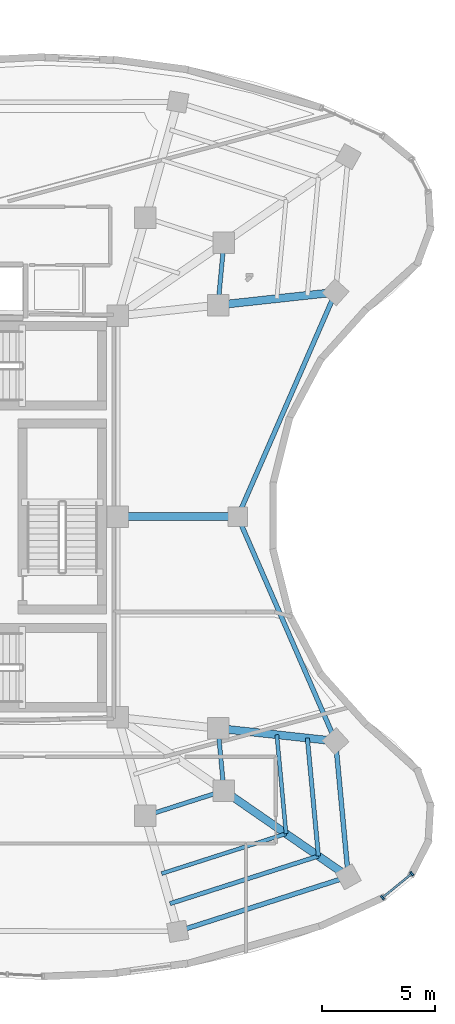
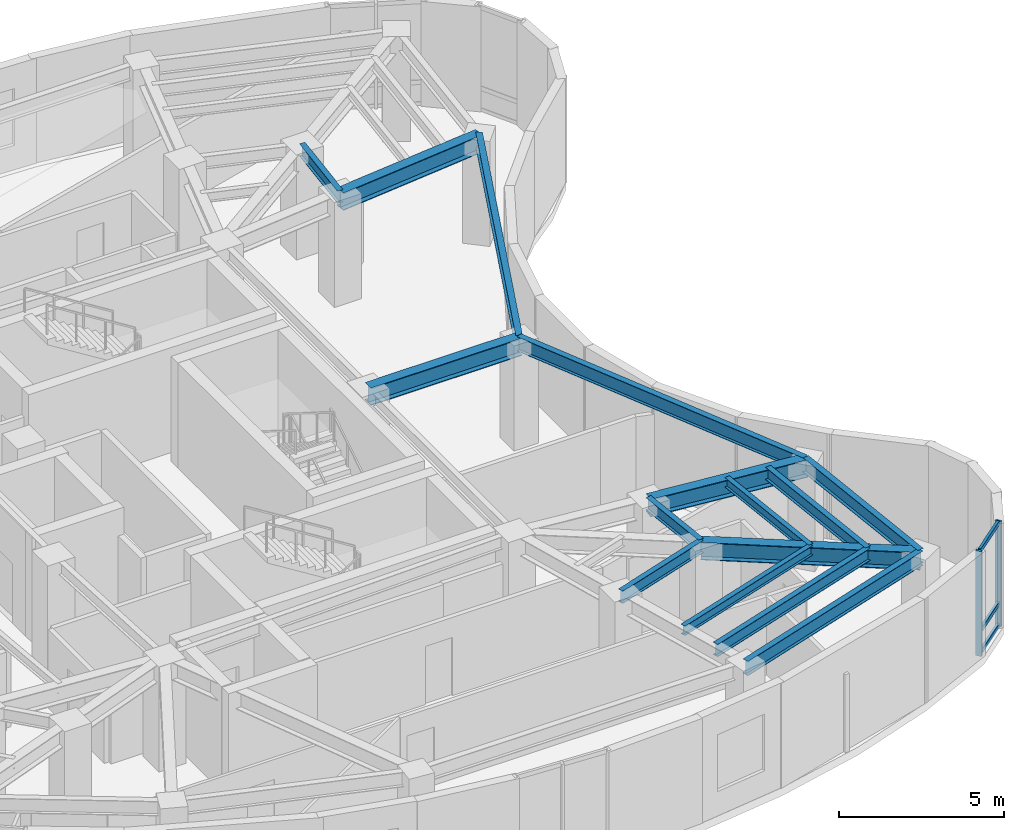
# One storey, part 4 of 13: 15 beams, 5 members, 1 element without a shape of its own.
"""IFC4 building model written with IfcOpenShell, lengths in metres."""

from ifc_helpers import new_model, si_unit, direction, frame, origin, origin_2d, place, context, subcontext, project, spatial, rectangle, i_section, extrude, material, layer, layer_set, material_profile, profile_set, type_object, element, aggregate, save


model = new_model("IFC4")

# Units and contexts
model_context = context("Model", 3, precision=1e-05, world=origin(), true_north=direction((0.0, 1.0)))
body_context = subcontext(model_context, "Body", "Model", "MODEL_VIEW")
ifc_project = project(units=[si_unit("LENGTHUNIT", "METRE"), si_unit("AREAUNIT", "SQUARE_METRE"), si_unit("VOLUMEUNIT", "CUBIC_METRE"), si_unit("PLANEANGLEUNIT", "RADIAN"), si_unit("MASSUNIT", "GRAM", prefix="KILO")], contexts=[model_context])

# Site, building, storey
site_placement = place(None, origin())
site = spatial("IfcSite", under=ifc_project, at=site_placement, CompositionType="ELEMENT")
building_placement = place(site_placement, origin())
building = spatial("IfcBuilding", under=site, at=building_placement, Name="Korentha Bioscience Tower", CompositionType="ELEMENT")
storey_placement = place(building_placement, frame((0.0, 0.0, 273.0)))
storey = spatial("IfcBuildingStorey", under=building, at=storey_placement, Name="L63", CompositionType="ELEMENT", Elevation=273.0)

# Beams
ifc_material_1 = material(Name="Steel S355", Category="steel")
ifc_material_profile_1 = material_profile(ifc_material_1, i_section(OverallWidth=0.18994140625, OverallDepth=0.45703125, WebThickness=0.009033203125, FlangeThickness=0.014404296875, at=origin_2d()), Name="Steel S355")
ifc_profile_set_1 = profile_set([ifc_material_profile_1], Name="Steel S355 (MB-460)")
beam_type_1 = type_object("IfcBeamType", Name="Mid-Ring Tie Girder W460x74", PredefinedType="BEAM", material=ifc_profile_set_1)
beam_1_placement = place(storey_placement, frame((38.76416015625, 13.81103515625, 3.651611328125), z_axis=(0.952264747125, 0.305273404318, 0.0), x_axis=(-0.305273404318, 0.952264747125, 0.0)))
element("IfcBeam", 1, at=beam_1_placement, inside=storey, type_object=beam_type_1, Name="L63 Mid-Ring Tie Girder 12", PredefinedType="BEAM", context=body_context, shape_type="SweptSolid", body=[
    extrude(i_section(OverallWidth=0.18994140625, OverallDepth=0.45703125, WebThickness=0.009033203125, FlangeThickness=0.014404296875, at=origin_2d()), origin(), (0.0, 0.0, 1.0), 3.630859375),
])
for number, where, z_axis, x_axis, name in (
    (2, (42.2216796875, 14.91943359375, 3.651611328125), (-0.093348923855, 0.995633455854, 0.0), (-0.995633455854, -0.093348923855, 0.0), "L63 Mid-Ring Tie Girder 13"),
    (3, (41.9638671875, 36.330810546875, 3.651611328125), (0.093348923855, 0.995633455854, 0.0), (-0.995633455854, 0.093348923855, 0.0), "L63 Mid-Ring Tie Girder 16"),
):
    element("IfcBeam", number, at=place(storey_placement, frame(where, z_axis=z_axis, x_axis=x_axis)), inside=storey, type_object=beam_type_1, Name=name, PredefinedType="BEAM", context=body_context, shape_type="SweptSolid", body=[
        extrude(i_section(OverallWidth=0.18994140625, OverallDepth=0.45703125, WebThickness=0.009033203125, FlangeThickness=0.014404296875, at=origin_2d()), origin(), (0.0, 0.0, 1.0), 2.76171875),
    ])

# Curtain wall, members
ifc_material_2 = material(Name="Thermally Broken Aluminium Frame", Category="aluminium")
ifc_layer = layer(ifc_material_2, 0.219970703125, Name="Thermally Broken Aluminium Frame")
ifc_layer_set = layer_set([ifc_layer], Name="Thermally Broken Aluminium Frame (CW-T1)")
curtain_wall_type = type_object("IfcCurtainWallType", Name="Standard Bioscience Lab Unitised Curtain Wall CW-T1", PredefinedType="USERDEFINED", material=ifc_layer_set)
curtain_wall_placement = place(storey_placement, origin())
curtain_wall = element("IfcCurtainWall", 4, at=curtain_wall_placement, inside=storey, type_object=curtain_wall_type, Name="L63 Curtain Wall 37", ObjectType="UNITISED", PredefinedType="USERDEFINED")
ifc_material_3 = material(Name="Anodised Aluminium 6063-T6", Category="aluminium")
ifc_material_profile_2 = material_profile(ifc_material_3, rectangle(XDim=0.090087890625, YDim=0.199951171875, at=origin_2d()), Name="Anodised Aluminium 6063-T6")
ifc_profile_set_2 = profile_set([ifc_material_profile_2], Name="Anodised Aluminium 6063-T6 (CW-MUL)")
member_type_1 = type_object("IfcMemberType", Name="Mullion RECT 90x200", PredefinedType="MULLION", material=ifc_profile_set_2)
member_1_placement = place(storey_placement, frame((49.212646484375, 10.203125, 0.0), z_axis=(0.0, 0.0, 1.0), x_axis=(0.774235415138, 0.632897718393, 0.0)))
member_1 = element("IfcMember", 5, at=member_1_placement, type_object=member_type_1, Name="CW-L63-37 Mullion 1", PredefinedType="MULLION", context=body_context, shape_type="SweptSolid", body=[
    extrude(rectangle(XDim=0.090087890625, YDim=0.199951171875, at=origin_2d()), origin(), (0.0, 0.0, 1.0), 3.8798828125),
])
member_2_placement = place(storey_placement, frame((50.507080078125, 11.260986328125, 0.0), z_axis=(0.0, 0.0, 1.0), x_axis=(0.774235415138, 0.632897718393, 0.0)))
member_2 = element("IfcMember", 6, at=member_2_placement, type_object=member_type_1, Name="CW-L63-37 Mullion 2", PredefinedType="MULLION", context=body_context, shape_type="SweptSolid", body=[
    extrude(rectangle(XDim=0.090087890625, YDim=0.199951171875, at=origin_2d()), origin(), (0.0, 0.0, 1.0), 3.8798828125),
])

# Beams
ifc_material_profile_3 = material_profile(ifc_material_1, i_section(OverallWidth=0.208984375, OverallDepth=0.532958984375, WebThickness=0.01025390625, FlangeThickness=0.015625, at=origin_2d()), Name="Steel S355")
ifc_profile_set_3 = profile_set([ifc_material_profile_3], Name="Steel S355 (SB-530)")
beam_type_2 = type_object("IfcBeamType", Name="Perimeter Ring Spandrel Girder W530x92", PredefinedType="SPANDREL", material=ifc_profile_set_3)
beam_2_placement = place(storey_placement, frame((40.189453125, 8.7177734375, 3.613525390625), z_axis=(0.952281827014, 0.305220120468, 0.0), x_axis=(-0.305220120468, 0.952281827014, 0.0)))
element("IfcBeam", 7, at=beam_2_placement, inside=storey, type_object=beam_type_2, Name="L63 Perimeter Spandrel Girder 12", PredefinedType="SPANDREL", context=body_context, shape_type="SweptSolid", body=[
    extrude(i_section(OverallWidth=0.208984375, OverallDepth=0.532958984375, WebThickness=0.01025390625, FlangeThickness=0.015625, at=origin_2d()), origin(), (0.0, 0.0, 1.0), 7.893310546875),
])
beam_3_placement = place(storey_placement, frame((47.7060546875, 11.126953125, 3.613525390625), z_axis=(-0.093365902602, 0.995631863809, 0.0), x_axis=(-0.995631863809, -0.093365902602, 0.0)))
element("IfcBeam", 8, at=beam_3_placement, inside=storey, type_object=beam_type_2, Name="L63 Perimeter Spandrel Girder 13", PredefinedType="SPANDREL", context=body_context, shape_type="SweptSolid", body=[
    extrude(i_section(OverallWidth=0.208984375, OverallDepth=0.532958984375, WebThickness=0.01025390625, FlangeThickness=0.015625, at=origin_2d()), origin(), (0.0, 0.0, 1.0), 6.003662109375),
])
for number, where, z_axis, x_axis, name in (
    (9, (47.1455078125, 17.1044921875, 3.613525390625), (-0.399437259894, 0.916760533296, 0.0), (-0.916760533296, -0.399437259894, 0.0), "L63 Perimeter Spandrel Girder 14"),
    (10, (42.833984375, 27.0, 3.613525390625), (0.399437259894, 0.916760533296, 0.0), (-0.916760533296, 0.399437259894, 0.0), "L63 Perimeter Spandrel Girder 15"),
):
    element("IfcBeam", number, at=place(storey_placement, frame(where, z_axis=z_axis, x_axis=x_axis)), inside=storey, type_object=beam_type_2, Name=name, PredefinedType="SPANDREL", context=body_context, shape_type="SweptSolid", body=[
        extrude(i_section(OverallWidth=0.208984375, OverallDepth=0.532958984375, WebThickness=0.01025390625, FlangeThickness=0.015625, at=origin_2d()), origin(), (0.0, 0.0, 1.0), 10.7939453125),
    ])
ifc_material_profile_4 = material_profile(ifc_material_1, i_section(OverallWidth=0.18994140625, OverallDepth=0.45703125, WebThickness=0.009033203125, FlangeThickness=0.014404296875, at=origin_2d()), Name="Steel S355")
ifc_profile_set_4 = profile_set([ifc_material_profile_4], Name="Steel S355 (RB-460)")
beam_type_3 = type_object("IfcBeamType", Name="Radial Laboratory Beam W460x74", PredefinedType="BEAM", material=ifc_profile_set_4)
beam_4_placement = place(storey_placement, frame((39.847412109375, 9.940185546875, 3.651611328125), z_axis=(0.952283347378, 0.305215376917, 0.0), x_axis=(-0.305215376917, 0.952283347378, 0.0)))
element("IfcBeam", 11, at=beam_4_placement, inside=storey, type_object=beam_type_3, Name="L63 Secondary Floor Beam JSTO-12", PredefinedType="BEAM", context=body_context, shape_type="SweptSolid", body=[
    extrude(i_section(OverallWidth=0.18994140625, OverallDepth=0.45703125, WebThickness=0.009033203125, FlangeThickness=0.014404296875, at=origin_2d()), origin(), (0.0, 0.0, 1.0), 6.870361328125),
])
beam_5_placement = place(storey_placement, frame((46.389892578125, 12.037109375, 3.651611328125), z_axis=(-0.093391362324, 0.995629475982, 0.0), x_axis=(-0.995629475982, -0.093391362324, 0.0)))
element("IfcBeam", 12, at=beam_5_placement, inside=storey, type_object=beam_type_3, Name="L63 Secondary Floor Beam JSTO-13", PredefinedType="BEAM", context=body_context, shape_type="SweptSolid", body=[
    extrude(i_section(OverallWidth=0.18994140625, OverallDepth=0.45703125, WebThickness=0.009033203125, FlangeThickness=0.014404296875, at=origin_2d()), origin(), (0.0, 0.0, 1.0), 5.225830078125),
])
ifc_material_profile_5 = material_profile(ifc_material_1, i_section(OverallWidth=0.35009765625, OverallDepth=0.64990234375, WebThickness=0.01611328125, FlangeThickness=0.02490234375, at=origin_2d()), Name="Steel S355")
ifc_profile_set_5 = profile_set([ifc_material_profile_5], Name="Steel S355 (RB-650)")
beam_type_4 = type_object("IfcBeamType", Name="Radial Laboratory Girder CVS 650x208", PredefinedType="BEAM", material=ifc_profile_set_5)
beam_6_placement = place(storey_placement, frame((42.2216796875, 14.91943359375, 3.554931640625), z_axis=(0.822500508627, -0.568764374155, 0.0), x_axis=(0.568764374155, 0.822500508627, 0.0)))
element("IfcBeam", 13, at=beam_6_placement, inside=storey, type_object=beam_type_4, Name="L63 Outer Radial Girder 13", PredefinedType="BEAM", context=body_context, shape_type="SweptSolid", body=[
    extrude(i_section(OverallWidth=0.35009765625, OverallDepth=0.64990234375, WebThickness=0.01611328125, FlangeThickness=0.02490234375, at=origin_2d()), origin(), (0.0, 0.0, 1.0), 6.66796875),
])
beam_7_placement = place(storey_placement, frame((41.9638671875, 17.669189453125, 3.554931640625), z_axis=(0.994114014358, -0.108338942481, 0.0), x_axis=(0.108338942481, 0.994114014358, 0.0)))
element("IfcBeam", 14, at=beam_7_placement, inside=storey, type_object=beam_type_4, Name="L63 Outer Radial Girder 14", PredefinedType="BEAM", context=body_context, shape_type="SweptSolid", body=[
    extrude(i_section(OverallWidth=0.35009765625, OverallDepth=0.64990234375, WebThickness=0.01611328125, FlangeThickness=0.02490234375, at=origin_2d()), origin(), (0.0, 0.0, 1.0), 5.21240234375),
])
beam_8_placement = place(storey_placement, frame((37.550048828125, 27.0, 3.554931640625), z_axis=(1.0, 0.0, 0.0), x_axis=(0.0, 1.0, 0.0)))
element("IfcBeam", 15, at=beam_8_placement, inside=storey, type_object=beam_type_4, Name="L63 Radial Girder 15", PredefinedType="BEAM", context=body_context, shape_type="SweptSolid", body=[
    extrude(i_section(OverallWidth=0.35009765625, OverallDepth=0.64990234375, WebThickness=0.01611328125, FlangeThickness=0.02490234375, at=origin_2d()), origin(), (0.0, 0.0, 1.0), 5.283935546875),
])
beam_9_placement = place(storey_placement, frame((41.9638671875, 36.330810546875, 3.554931640625), z_axis=(0.994114014358, 0.108338942481, 0.0), x_axis=(-0.108338942481, 0.994114014358, 0.0)))
element("IfcBeam", 16, at=beam_9_placement, inside=storey, type_object=beam_type_4, Name="L63 Outer Radial Girder 16", PredefinedType="BEAM", context=body_context, shape_type="SweptSolid", body=[
    extrude(i_section(OverallWidth=0.35009765625, OverallDepth=0.64990234375, WebThickness=0.01611328125, FlangeThickness=0.02490234375, at=origin_2d()), origin(), (0.0, 0.0, 1.0), 5.21240234375),
])
ifc_material_profile_6 = material_profile(ifc_material_1, i_section(OverallWidth=0.1708984375, OverallDepth=0.35498046875, WebThickness=0.007080078125, FlangeThickness=0.01171875, at=origin_2d()), Name="Steel S355")
ifc_profile_set_6 = profile_set([ifc_material_profile_6], Name="Steel S355 (JB-360)")
beam_type_5 = type_object("IfcBeamType", Name="Secondary Laboratory Joist W360x51", PredefinedType="JOIST", material=ifc_profile_set_6)
beam_10_placement = place(storey_placement, frame((39.476806640625, 11.264404296875, 3.702392578125), z_axis=(0.95227644606, 0.30523690845, 0.0), x_axis=(-0.30523690845, 0.95227644606, 0.0)))
element("IfcBeam", 17, at=beam_10_placement, inside=storey, type_object=beam_type_5, Name="L63 Secondary Floor Beam JST-12", PredefinedType="JOIST", context=body_context, shape_type="SweptSolid", body=[
    extrude(i_section(OverallWidth=0.1708984375, OverallDepth=0.35498046875, WebThickness=0.007080078125, FlangeThickness=0.01171875, at=origin_2d()), origin(), (0.0, 0.0, 1.0), 5.761962890625),
])
beam_11_placement = place(storey_placement, frame((44.9638671875, 13.023193359375, 3.702392578125), z_axis=(-0.093363142036, 0.995632122678, 0.0), x_axis=(-0.995632122678, -0.093363142036, 0.0)))
element("IfcBeam", 18, at=beam_11_placement, inside=storey, type_object=beam_type_5, Name="L63 Secondary Floor Beam JST-13", PredefinedType="JOIST", context=body_context, shape_type="SweptSolid", body=[
    extrude(i_section(OverallWidth=0.1708984375, OverallDepth=0.35498046875, WebThickness=0.007080078125, FlangeThickness=0.01171875, at=origin_2d()), origin(), (0.0, 0.0, 1.0), 4.382568359375),
])

# Member
ifc_material_profile_7 = material_profile(ifc_material_3, rectangle(XDim=0.090087890625, YDim=0.159912109375, at=origin_2d()), Name="Anodised Aluminium 6063-T6")
ifc_profile_set_7 = profile_set([ifc_material_profile_7], Name="Anodised Aluminium 6063-T6 (CW-TRN)")
member_type_2 = type_object("IfcMemberType", Name="Transom RECT 90x160", PredefinedType="USERDEFINED", material=ifc_profile_set_7)
member_3_placement = place(storey_placement, frame((49.24755859375, 10.231689453125, 0.044921875), z_axis=(0.77425981368, 0.632867870033, 0.0), x_axis=(-0.632867870033, 0.77425981368, 0.0)))
member_3 = element("IfcMember", 19, at=member_3_placement, type_object=member_type_2, Name="CW-L63-37 Bay 1 Transom 1", ObjectType="TRANSOM", PredefinedType="USERDEFINED", context=body_context, shape_type="SweptSolid", body=[
    extrude(rectangle(XDim=0.090087890625, YDim=0.159912109375, at=origin_2d()), origin(), (0.0, 0.0, 1.0), 1.58154296875),
])

member_4_placement = place(storey_placement, frame((49.24755859375, 10.231689453125, 0.85009765625), z_axis=(0.77425981368, 0.632867870033, 0.0), x_axis=(-0.632867870033, 0.77425981368, 0.0)))
member_4 = element("IfcMember", 20, at=member_4_placement, type_object=member_type_2, Name="CW-L63-37 Bay 1 Transom 2", ObjectType="TRANSOM", PredefinedType="USERDEFINED", context=body_context, shape_type="SweptSolid", body=[
    extrude(rectangle(XDim=0.090087890625, YDim=0.159912109375, at=origin_2d()), origin(), (0.0, 0.0, 1.0), 1.58154296875),
])

member_5_placement = place(storey_placement, frame((49.24755859375, 10.231689453125, 3.8349609375), z_axis=(0.77425981368, 0.632867870033, 0.0), x_axis=(-0.632867870033, 0.77425981368, 0.0)))
member_5 = element("IfcMember", 21, at=member_5_placement, type_object=member_type_2, Name="CW-L63-37 Bay 1 Transom 3", ObjectType="TRANSOM", PredefinedType="USERDEFINED", context=body_context, shape_type="SweptSolid", body=[
    extrude(rectangle(XDim=0.090087890625, YDim=0.159912109375, at=origin_2d()), origin(), (0.0, 0.0, 1.0), 1.58154296875),
])

aggregate(curtain_wall, [member_1, member_2, member_3, member_4, member_5])

save(model, "model.ifc")
